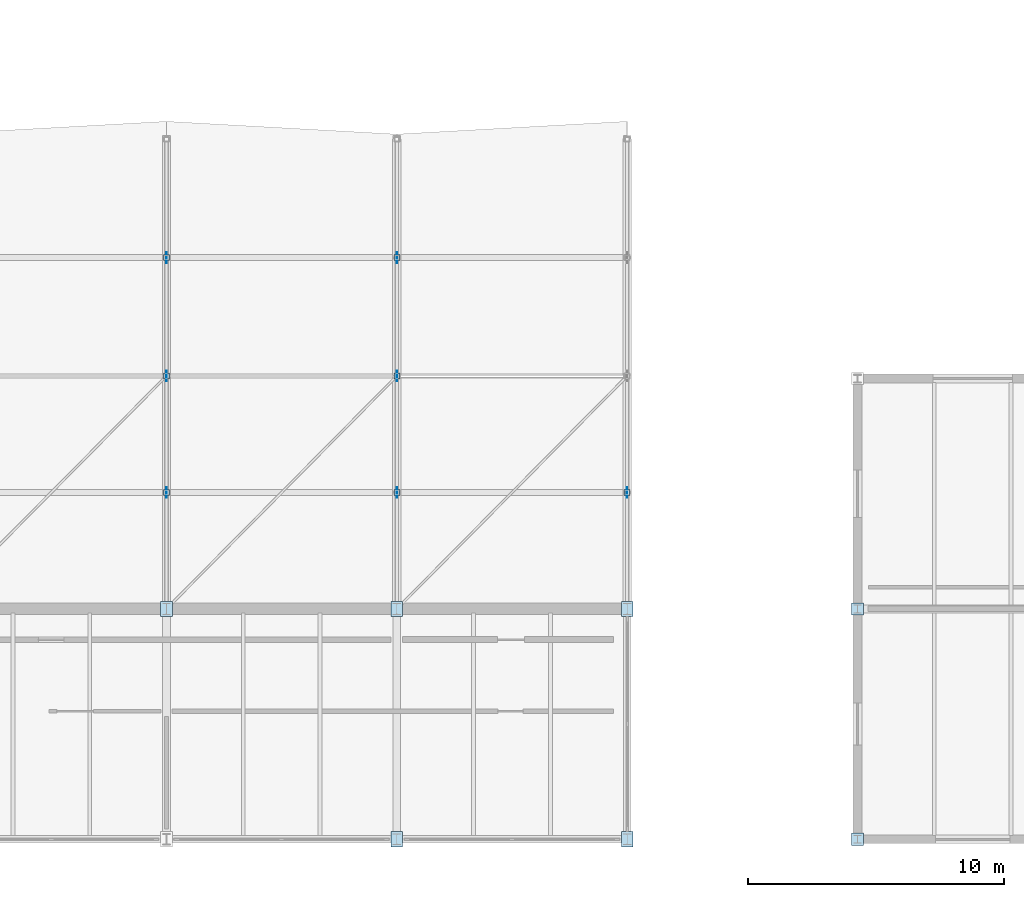
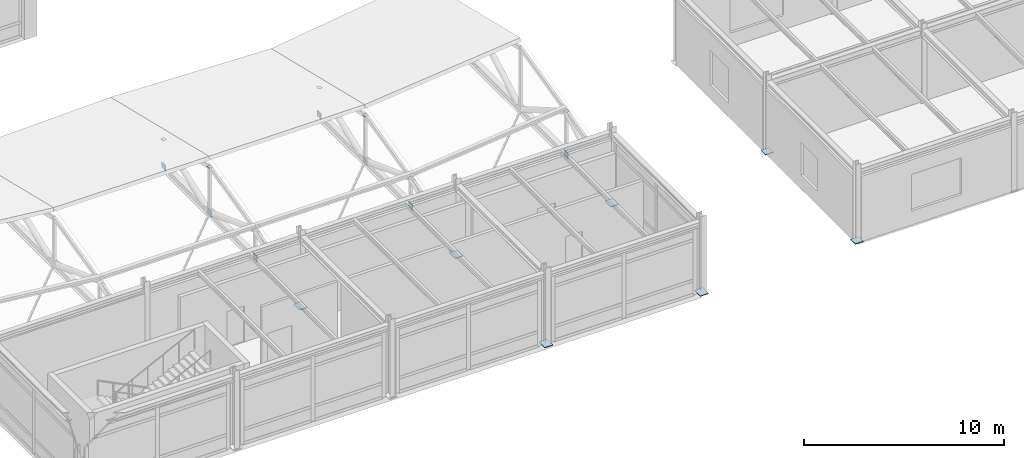
# One storey, part 62 of 90: 21 plates.
"""IFC4 building model written with IfcOpenShell, lengths in metres."""

import ifcopenshell
import ifcopenshell.guid

model = None  # the IFC model being written
_history = None  # IfcOwnerHistory: only IFC2X3 demands one
_inside = {}  # id of a spatial element -> (the spatial element, [elements in it])
_under = {}  # id of a project, library or spatial element -> (it, [spatial elements below it])
_declared = {}  # id of a project -> (the project, [libraries it declares])
_typed = {}  # id of a type object -> (the type object, [elements of that type])
_made_of = {}  # id of a material, layer set ... -> (it, [elements and type objects made of it])


def new_model(schema):
    """Start an empty IFC model of exactly this schema.

    Asked for "IFC4X3", IfcOpenShell would pick the latest addendum, in which some entities
    have other attributes; the version numbers below select the first issue.
    IFC2X3 requires an IfcOwnerHistory on every rooted entity: one is made here for all.
    """
    global model, _history
    if schema == "IFC4X3":
        model = ifcopenshell.file(schema_version=(4, 3, 0, 0))
    else:
        model = ifcopenshell.file(schema=schema)
    _inside.clear()
    _under.clear()
    _declared.clear()
    _typed.clear()
    _made_of.clear()
    _history = None
    if model.schema == "IFC2X3":
        org = make("IfcOrganization", Name="unknown")
        user = make(
            "IfcPersonAndOrganization",
            ThePerson=make("IfcPerson", FamilyName="unknown"),
            TheOrganization=org,
        )
        app = make(
            "IfcApplication",
            ApplicationDeveloper=org,
            Version="unknown",
            ApplicationFullName="unknown",
            ApplicationIdentifier="unknown",
        )
        _history = make(
            "IfcOwnerHistory",
            OwningUser=user,
            OwningApplication=app,
            ChangeAction="ADDED",
            CreationDate=0,
        )
    return model


def make(cls, **values):
    """One entity of the class cls with the attributes given. An attribute that is None is left unset."""
    return model.create_entity(
        cls, **{name: value for name, value in values.items() if value is not None}
    )


def rooted(cls, **values):
    """An entity with a GlobalId (a new one), such as an element, a storey or a relation."""
    return make(cls, GlobalId=ifcopenshell.guid.new(), OwnerHistory=_history, **values)


def si_unit(unit_type, name, prefix=None):
    """IfcSIUnit, for example si_unit("LENGTHUNIT", "METRE", prefix="MILLI")."""
    return make("IfcSIUnit", UnitType=unit_type, Prefix=prefix, Name=name)


def assignment(units):
    """IfcUnitAssignment: the units of a project."""
    return None if units is None else make("IfcUnitAssignment", Units=units)


def point(xyz):
    """IfcCartesianPoint."""
    return None if xyz is None else make("IfcCartesianPoint", Coordinates=xyz)


def direction(xyz):
    """IfcDirection."""
    return None if xyz is None else make("IfcDirection", DirectionRatios=xyz)


def frame(location, z_axis=None, x_axis=None):
    """IfcAxis2Placement3D, a coordinate frame: its origin and axes. An axis left out is left unset."""
    return make(
        "IfcAxis2Placement3D",
        Location=point(location),
        Axis=direction(z_axis),
        RefDirection=direction(x_axis),
    )


def frame_2d(location, x_axis=None):
    """IfcAxis2Placement2D, a coordinate frame in the plane: its origin and x axis."""
    return make(
        "IfcAxis2Placement2D", Location=point(location), RefDirection=direction(x_axis)
    )


def origin():
    """The frame at (0, 0, 0) with its axes left unset."""
    return frame((0.0, 0.0, 0.0))


def origin_2d():
    """The frame at (0, 0) in the plane with its x axis left unset."""
    return frame_2d((0.0, 0.0))


def place(relative_to, where):
    """IfcLocalPlacement: puts the frame where relative to a parent placement (None: the world)."""
    return make(
        "IfcLocalPlacement", PlacementRelTo=relative_to, RelativePlacement=where
    )


def context(
    kind, dimensions, precision=None, world=None, true_north=None, identifier=None
):
    """IfcGeometricRepresentationContext, for example the 3D "Model" context."""
    return make(
        "IfcGeometricRepresentationContext",
        ContextIdentifier=identifier,
        ContextType=kind,
        CoordinateSpaceDimension=dimensions,
        Precision=precision,
        WorldCoordinateSystem=world,
        TrueNorth=true_north,
    )


def subcontext(parent, identifier, kind, view, scale=None):
    """IfcGeometricRepresentationSubContext, for example "Body" below "Model"."""
    return make(
        "IfcGeometricRepresentationSubContext",
        ContextIdentifier=identifier,
        ContextType=kind,
        ParentContext=parent,
        TargetScale=scale,
        TargetView=view,
    )


def project(units=None, contexts=None):
    """IfcProject with its units and contexts."""
    return rooted(
        "IfcProject",
        Name="project",
        RepresentationContexts=contexts,
        UnitsInContext=assignment(units),
    )


def spatial(cls, under=None, at=None, **own):
    """A site, building, storey or space (cls), placed at a placement, below another one or the project."""
    s = rooted(cls, ObjectPlacement=at, **own)
    if under is not None:
        _under.setdefault(under.id(), (under, []))[1].append(s)
    return s


def profile(cls, at=None, kind="AREA", **sizes):
    """A parametric profile (cls). Its sizes go by their IFC names, for example OverallWidth=200.0."""
    return make(cls, ProfileType=kind, Position=at, **sizes)


def rectangle(**sizes):
    """IfcRectangleProfileDef."""
    return profile("IfcRectangleProfileDef", **sizes)


def extrude(swept, where, along, depth):
    """IfcExtrudedAreaSolid: the profile swept, set in the frame where, extruded along a direction by depth."""
    return make(
        "IfcExtrudedAreaSolid",
        SweptArea=swept,
        Position=where,
        ExtrudedDirection=direction(along),
        Depth=depth,
    )


def shape(context_of_items, identifier, shape_type, items):
    """IfcShapeRepresentation: the items that make up one representation, for example the "Body"."""
    return make(
        "IfcShapeRepresentation",
        ContextOfItems=context_of_items,
        RepresentationIdentifier=identifier,
        RepresentationType=shape_type,
        Items=items,
    )


def material(Name=None, Category=None):
    """IfcMaterial."""
    return make("IfcMaterial", Name=Name, Category=Category)


def layer(
    of_material, thickness, ventilated=None, Name=None, Category=None, Priority=None
):
    """IfcMaterialLayer: one layer of a wall or slab, of a material (None: an air gap)."""
    return make(
        "IfcMaterialLayer",
        Material=of_material,
        LayerThickness=thickness,
        IsVentilated=ventilated,
        Name=Name,
        Category=Category,
        Priority=Priority,
    )


def layer_set(layers, Name=None):
    """IfcMaterialLayerSet."""
    return make("IfcMaterialLayerSet", MaterialLayers=layers, LayerSetName=Name)


def made_of(thing, what):
    """Note that an element or type object is made of a material, layer set ...; save() writes the relation."""
    if what is not None:
        _made_of.setdefault(what.id(), (what, []))[1].append(thing)
    return thing


def type_object(cls, material=None, **own):
    """A type object (cls), such as IfcWallType, which elements share."""
    return made_of(rooted(cls, **own), material)


def element(
    cls,
    number,
    at=None,
    inside=None,
    cuts=None,
    type_object=None,
    material=None,
    context=None,
    identifier="Body",
    shape_type=None,
    held_by="IfcProductDefinitionShape",
    body=None,
    shapes=None,
    **own,
):
    """One element of the class cls, such as IfcWall. Its Tag is "e" and its number.

    at: its placement. inside: the storey or other place that contains it. cuts: it is an
    opening in that element (IfcRelVoidsElement). A single representation is given by context,
    identifier, shape_type and body (its items); several are given by shapes. held_by: the class
    of the entity that holds the representations. save() writes the other relations.
    """
    e = rooted(cls, Tag="e%d" % number, ObjectPlacement=at, **own)
    if body is not None:
        shapes = [shape(context, identifier, shape_type, body)]
    if shapes is not None:
        e.Representation = make(held_by, Representations=shapes)
    if inside is not None:
        _inside.setdefault(inside.id(), (inside, []))[1].append(e)
    if cuts is not None:
        rooted(
            "IfcRelVoidsElement", RelatingBuildingElement=cuts, RelatedOpeningElement=e
        )
    if type_object is not None:
        _typed.setdefault(type_object.id(), (type_object, []))[1].append(e)
    return made_of(e, material)


def aggregate(whole, parts):
    """IfcRelAggregates: a whole, such as a stair, and the parts it consists of."""
    return rooted("IfcRelAggregates", RelatingObject=whole, RelatedObjects=parts)


def save(model, path):
    """Write the relations noted so far, then the file.

    IfcRelAggregates (storeys below a building ...), IfcRelContainedInSpatialStructure (elements
    in a storey), IfcRelDefinesByType, IfcRelAssociatesMaterial and IfcRelDeclares: one each for
    every whole, place, type object, material and project.
    """
    for whole, parts in _under.values():
        aggregate(whole, parts)
    for where, things in _inside.values():
        rooted(
            "IfcRelContainedInSpatialStructure",
            RelatedElements=things,
            RelatingStructure=where,
        )
    for kind, things in _typed.values():
        rooted("IfcRelDefinesByType", RelatedObjects=things, RelatingType=kind)
    for what, things in _made_of.values():
        rooted("IfcRelAssociatesMaterial", RelatedObjects=things, RelatingMaterial=what)
    for by, libraries in _declared.values():
        rooted("IfcRelDeclares", RelatingContext=by, RelatedDefinitions=libraries)
    model.write(path)


model = new_model("IFC4")

# Units and contexts
model_context = context("Model", 3, precision=1e-05, world=origin(), true_north=direction((0.0, 1.0)))
body_context = subcontext(model_context, "Body", "Model", "MODEL_VIEW")
ifc_project = project(units=[si_unit("LENGTHUNIT", "METRE"), si_unit("AREAUNIT", "SQUARE_METRE"), si_unit("VOLUMEUNIT", "CUBIC_METRE"), si_unit("PLANEANGLEUNIT", "RADIAN"), si_unit("MASSUNIT", "GRAM", prefix="KILO")], contexts=[model_context])

# Site, building, storey
site_placement = place(None, origin())
site = spatial("IfcSite", under=ifc_project, at=site_placement, CompositionType="ELEMENT")
building_placement = place(site_placement, origin())
building = spatial("IfcBuilding", under=site, at=building_placement, Name="Bozkorgan Art Gallery", CompositionType="ELEMENT")
storey_placement = place(building_placement, frame((0.0, 0.0, 5.39990234375)))
storey = spatial("IfcBuildingStorey", under=building, at=storey_placement, Name="L01", CompositionType="ELEMENT", Elevation=5.39990234375)

# Plates
ifc_material = material(Name="Steel S355J2", Category="steel")
ifc_layer_1 = layer(ifc_material, 0.031982421875, Name="Steel S355J2")
ifc_layer_set_1 = layer_set([ifc_layer_1], Name="Steel S355J2")
plate_type_1 = type_object("IfcPlateType", Name="PLATE-BP-33", PredefinedType="USERDEFINED", material=ifc_layer_set_1)
for number, where, z_axis, x_axis, name in (
    (1, (101.0, 11.0, 0.0), (0.0, 0.0, 1.0), (1.0, 0.0, 0.0), "COL-V3-L01-101-11 base plate"),
    (2, (110.0, 2.0, 0.0), (0.0, 0.0, 1.0), (1.0, 0.0, 0.0), "COL-V3-L01-110-2 base plate"),
    (3, (110.0, 11.0, 0.0), (0.0, 0.0, 1.0), (1.0, 0.0, 0.0), "COL-V3-L01-110-11 base plate"),
    (4, (119.0, 2.0, 0.0), (0.0, 0.0, 1.0), (1.0, 0.0, 0.0), "COL-V3-L01-119-2 base plate"),
    (5, (119.0, 11.0, 0.0), (0.0, 0.0, 1.0), (1.0, 0.0, 0.0), "COL-V3-L01-119-11 base plate"),
):
    element("IfcPlate", number, at=place(storey_placement, frame(where, z_axis=z_axis, x_axis=x_axis)), inside=storey, type_object=plate_type_1, Name=name, ObjectType="END CAP PLATE", PredefinedType="USERDEFINED", context=body_context, shape_type="SweptSolid", body=[
        extrude(rectangle(XDim=0.4599609375, YDim=0.60009765625, at=origin_2d()), origin(), (0.0, 0.0, 1.0), 0.031982421875),
    ])
ifc_layer_2 = layer(ifc_material, 0.031982421875, Name="Steel S355J2")
ifc_layer_set_2 = layer_set([ifc_layer_2], Name="Steel S355J2")
plate_type_2 = type_object("IfcPlateType", Name="PLATE-BP-41", PredefinedType="USERDEFINED", material=ifc_layer_set_2)
for number, where, z_axis, x_axis, name in (
    (6, (128.0, 2.0, 0.0), (0.0, 0.0, 1.0), (1.0, 0.0, 0.0), "COL-V6-L01-128-2 base plate"),
    (7, (128.0, 11.0, 0.0), (0.0, 0.0, 1.0), (1.0, 0.0, 0.0), "COL-V6-L01-128-11 base plate"),
):
    element("IfcPlate", number, at=place(storey_placement, frame(where, z_axis=z_axis, x_axis=x_axis)), inside=storey, type_object=plate_type_2, Name=name, ObjectType="END CAP PLATE", PredefinedType="USERDEFINED", context=body_context, shape_type="SweptSolid", body=[
        extrude(rectangle(XDim=0.4599609375, YDim=0.47998046875, at=origin_2d()), origin(), (0.0, 0.0, 1.0), 0.031982421875),
    ])
ifc_layer_3 = layer(ifc_material, 0.01611328125, Name="Steel S355J2")
ifc_layer_set_3 = layer_set([ifc_layer_3], Name="Steel S355J2")
plate_type_3 = type_object("IfcPlateType", Name="PLATE-EC-05", PredefinedType="USERDEFINED", material=ifc_layer_set_3)
for number, where, z_axis, x_axis, name in (
    (8, (101.0, 15.550048828125, 1.905029296875), (0.0, 0.0, 1.0), (1.0, 0.0, 0.0), "Truss V3 post cap 3.1"),
    (9, (101.0, 20.10009765625, 2.99755859375), (0.0, 0.0, 1.0), (1.0, 0.0, 0.0), "Truss V3 post cap 3.2"),
    (10, (101.0, 24.72509765625, 1.886962890625), (0.0, 0.0, 1.0), (1.0, 0.0, 0.0), "Truss V3 post cap 3.3"),
    (11, (110.0, 15.550048828125, 1.913330078125), (0.0, 0.0, 1.0), (1.0, 0.0, 0.0), "Truss V3 post cap 4.1"),
    (12, (110.0, 20.10009765625, 3.005615234375), (0.0, 0.0, 1.0), (1.0, 0.0, 0.0), "Truss V3 post cap 4.2"),
    (13, (110.0, 24.72509765625, 1.895263671875), (0.0, 0.0, 1.0), (1.0, 0.0, 0.0), "Truss V3 post cap 4.3"),
    (14, (119.0, 15.550048828125, 2.8525390625), (0.0, 0.0, 1.0), (1.0, 0.0, 0.0), "Truss V3 post cap 5.1"),
):
    element("IfcPlate", number, at=place(storey_placement, frame(where, z_axis=z_axis, x_axis=x_axis)), inside=storey, type_object=plate_type_3, Name=name, ObjectType="END CAP PLATE", PredefinedType="USERDEFINED", context=body_context, shape_type="SweptSolid", body=[
        extrude(rectangle(XDim=0.22998046875, YDim=0.22998046875, at=origin_2d()), origin(), (0.0, 0.0, 1.0), 0.01611328125),
    ])
ifc_layer_4 = layer(ifc_material, 0.02392578125, Name="Steel S355J2")
ifc_layer_set_4 = layer_set([ifc_layer_4], Name="Steel S355J2")
plate_type_4 = type_object("IfcPlateType", Name="PLATE-GP-38", PredefinedType="USERDEFINED", material=ifc_layer_set_4)
for number, where, z_axis, x_axis, name in (
    (15, (101.0, 20.10009765625, 0.044921875), (0.0, 0.0, 1.0), (1.0, 0.0, 0.0), "Truss V3 span 3 node gusset TN-2"),
    (16, (110.0, 20.10009765625, 0.044921875), (0.0, 0.0, 1.0), (1.0, 0.0, 0.0), "Truss V3 span 4 node gusset TN-2"),
):
    element("IfcPlate", number, at=place(storey_placement, frame(where, z_axis=z_axis, x_axis=x_axis)), inside=storey, type_object=plate_type_4, Name=name, ObjectType="GUSSET PLATE", PredefinedType="USERDEFINED", context=body_context, shape_type="SweptSolid", body=[
        extrude(rectangle(XDim=0.02001953125, YDim=0.419921875, at=origin_2d()), origin(), (0.0, 0.0, 1.0), 0.360107421875),
    ])
ifc_layer_5 = layer(ifc_material, 0.02001953125, Name="Steel S355J2")
ifc_layer_set_5 = layer_set([ifc_layer_5], Name="Steel S355J2")
plate_type_5 = type_object("IfcPlateType", Name="PLATE-GP-55", PredefinedType="USERDEFINED", material=ifc_layer_set_5)
for number, where, z_axis, x_axis, name in (
    (17, (101.0, 15.550048828125, 0.044921875), (0.0, 0.0, 1.0), (1.0, 0.0, 0.0), "Truss V3 span 3 node gusset TN-1"),
    (18, (101.0, 24.72509765625, 0.044921875), (0.0, 0.0, 1.0), (1.0, 0.0, 0.0), "Truss V3 span 3 node gusset TN-3"),
    (19, (110.0, 15.550048828125, 0.044921875), (0.0, 0.0, 1.0), (1.0, 0.0, 0.0), "Truss V3 span 4 node gusset TN-1"),
    (20, (110.0, 24.72509765625, 0.044921875), (0.0, 0.0, 1.0), (1.0, 0.0, 0.0), "Truss V3 span 4 node gusset TN-3"),
    (21, (119.0, 15.550048828125, 0.044921875), (0.0, 0.0, 1.0), (1.0, 0.0, 0.0), "Truss V3 span 5 node gusset TN-1"),
):
    element("IfcPlate", number, at=place(storey_placement, frame(where, z_axis=z_axis, x_axis=x_axis)), inside=storey, type_object=plate_type_5, Name=name, ObjectType="GUSSET PLATE", PredefinedType="USERDEFINED", context=body_context, shape_type="SweptSolid", body=[
        extrude(rectangle(XDim=0.02001953125, YDim=0.419921875, at=origin_2d()), origin(), (0.0, 0.0, 1.0), 0.360107421875),
    ])

save(model, "model.ifc")
